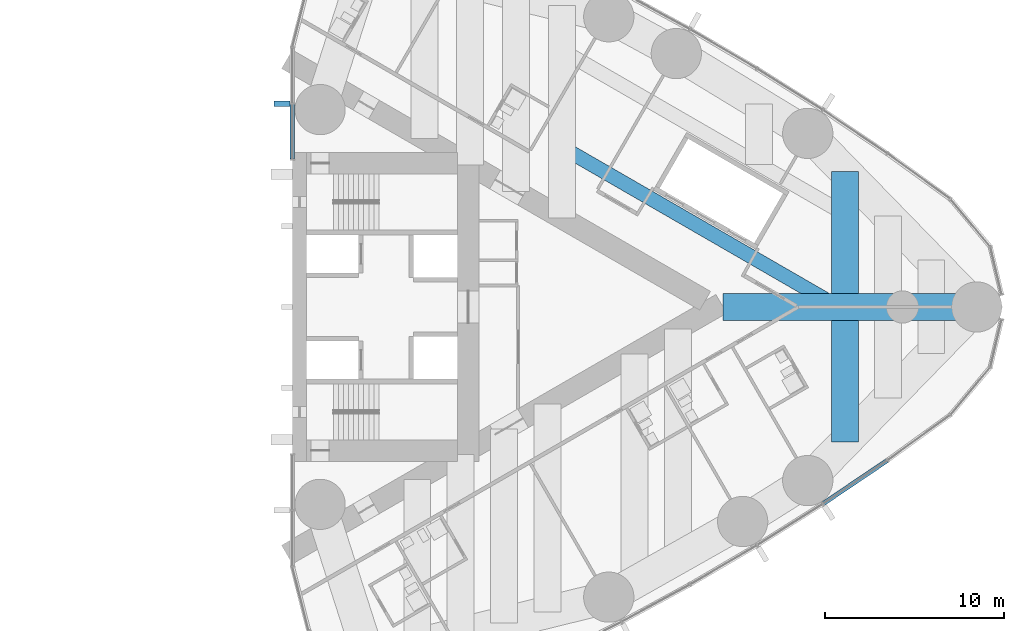
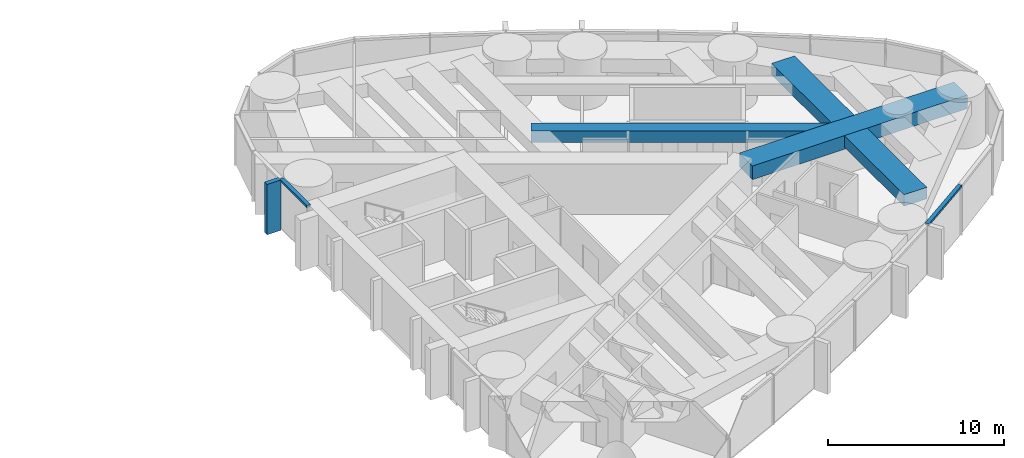
# One storey, part 7 of 19: 4 beams, 3 members, 2 elements without a shape of their own.
"""IFC4 building model written with IfcOpenShell, lengths in metres."""

import ifcopenshell
import ifcopenshell.guid

model = None  # the IFC model being written
_history = None  # IfcOwnerHistory: only IFC2X3 demands one
_inside = {}  # id of a spatial element -> (the spatial element, [elements in it])
_under = {}  # id of a project, library or spatial element -> (it, [spatial elements below it])
_declared = {}  # id of a project -> (the project, [libraries it declares])
_typed = {}  # id of a type object -> (the type object, [elements of that type])
_made_of = {}  # id of a material, layer set ... -> (it, [elements and type objects made of it])


def new_model(schema):
    """Start an empty IFC model of exactly this schema.

    Asked for "IFC4X3", IfcOpenShell would pick the latest addendum, in which some entities
    have other attributes; the version numbers below select the first issue.
    IFC2X3 requires an IfcOwnerHistory on every rooted entity: one is made here for all.
    """
    global model, _history
    if schema == "IFC4X3":
        model = ifcopenshell.file(schema_version=(4, 3, 0, 0))
    else:
        model = ifcopenshell.file(schema=schema)
    _inside.clear()
    _under.clear()
    _declared.clear()
    _typed.clear()
    _made_of.clear()
    _history = None
    if model.schema == "IFC2X3":
        org = make("IfcOrganization", Name="unknown")
        user = make(
            "IfcPersonAndOrganization",
            ThePerson=make("IfcPerson", FamilyName="unknown"),
            TheOrganization=org,
        )
        app = make(
            "IfcApplication",
            ApplicationDeveloper=org,
            Version="unknown",
            ApplicationFullName="unknown",
            ApplicationIdentifier="unknown",
        )
        _history = make(
            "IfcOwnerHistory",
            OwningUser=user,
            OwningApplication=app,
            ChangeAction="ADDED",
            CreationDate=0,
        )
    return model


def make(cls, **values):
    """One entity of the class cls with the attributes given. An attribute that is None is left unset."""
    return model.create_entity(
        cls, **{name: value for name, value in values.items() if value is not None}
    )


def rooted(cls, **values):
    """An entity with a GlobalId (a new one), such as an element, a storey or a relation."""
    return make(cls, GlobalId=ifcopenshell.guid.new(), OwnerHistory=_history, **values)


def si_unit(unit_type, name, prefix=None):
    """IfcSIUnit, for example si_unit("LENGTHUNIT", "METRE", prefix="MILLI")."""
    return make("IfcSIUnit", UnitType=unit_type, Prefix=prefix, Name=name)


def assignment(units):
    """IfcUnitAssignment: the units of a project."""
    return None if units is None else make("IfcUnitAssignment", Units=units)


def point(xyz):
    """IfcCartesianPoint."""
    return None if xyz is None else make("IfcCartesianPoint", Coordinates=xyz)


def direction(xyz):
    """IfcDirection."""
    return None if xyz is None else make("IfcDirection", DirectionRatios=xyz)


def frame(location, z_axis=None, x_axis=None):
    """IfcAxis2Placement3D, a coordinate frame: its origin and axes. An axis left out is left unset."""
    return make(
        "IfcAxis2Placement3D",
        Location=point(location),
        Axis=direction(z_axis),
        RefDirection=direction(x_axis),
    )


def frame_2d(location, x_axis=None):
    """IfcAxis2Placement2D, a coordinate frame in the plane: its origin and x axis."""
    return make(
        "IfcAxis2Placement2D", Location=point(location), RefDirection=direction(x_axis)
    )


def origin():
    """The frame at (0, 0, 0) with its axes left unset."""
    return frame((0.0, 0.0, 0.0))


def origin_2d():
    """The frame at (0, 0) in the plane with its x axis left unset."""
    return frame_2d((0.0, 0.0))


def place(relative_to, where):
    """IfcLocalPlacement: puts the frame where relative to a parent placement (None: the world)."""
    return make(
        "IfcLocalPlacement", PlacementRelTo=relative_to, RelativePlacement=where
    )


def context(
    kind, dimensions, precision=None, world=None, true_north=None, identifier=None
):
    """IfcGeometricRepresentationContext, for example the 3D "Model" context."""
    return make(
        "IfcGeometricRepresentationContext",
        ContextIdentifier=identifier,
        ContextType=kind,
        CoordinateSpaceDimension=dimensions,
        Precision=precision,
        WorldCoordinateSystem=world,
        TrueNorth=true_north,
    )


def subcontext(parent, identifier, kind, view, scale=None):
    """IfcGeometricRepresentationSubContext, for example "Body" below "Model"."""
    return make(
        "IfcGeometricRepresentationSubContext",
        ContextIdentifier=identifier,
        ContextType=kind,
        ParentContext=parent,
        TargetScale=scale,
        TargetView=view,
    )


def project(units=None, contexts=None):
    """IfcProject with its units and contexts."""
    return rooted(
        "IfcProject",
        Name="project",
        RepresentationContexts=contexts,
        UnitsInContext=assignment(units),
    )


def spatial(cls, under=None, at=None, **own):
    """A site, building, storey or space (cls), placed at a placement, below another one or the project."""
    s = rooted(cls, ObjectPlacement=at, **own)
    if under is not None:
        _under.setdefault(under.id(), (under, []))[1].append(s)
    return s


def profile(cls, at=None, kind="AREA", **sizes):
    """A parametric profile (cls). Its sizes go by their IFC names, for example OverallWidth=200.0."""
    return make(cls, ProfileType=kind, Position=at, **sizes)


def rectangle(**sizes):
    """IfcRectangleProfileDef."""
    return profile("IfcRectangleProfileDef", **sizes)


def hollow_rectangle(**sizes):
    """IfcRectangleHollowProfileDef."""
    return profile("IfcRectangleHollowProfileDef", **sizes)


def extrude(swept, where, along, depth):
    """IfcExtrudedAreaSolid: the profile swept, set in the frame where, extruded along a direction by depth."""
    return make(
        "IfcExtrudedAreaSolid",
        SweptArea=swept,
        Position=where,
        ExtrudedDirection=direction(along),
        Depth=depth,
    )


def shape(context_of_items, identifier, shape_type, items):
    """IfcShapeRepresentation: the items that make up one representation, for example the "Body"."""
    return make(
        "IfcShapeRepresentation",
        ContextOfItems=context_of_items,
        RepresentationIdentifier=identifier,
        RepresentationType=shape_type,
        Items=items,
    )


def material(Name=None, Category=None):
    """IfcMaterial."""
    return make("IfcMaterial", Name=Name, Category=Category)


def material_profile(
    of_material, cross_section, Name=None, Category=None, Priority=None
):
    """IfcMaterialProfile: a cross section and its material."""
    return make(
        "IfcMaterialProfile",
        Name=Name,
        Material=of_material,
        Profile=cross_section,
        Priority=Priority,
        Category=Category,
    )


def profile_set(profiles, Name=None, composite=None):
    """IfcMaterialProfileSet."""
    return make(
        "IfcMaterialProfileSet",
        Name=Name,
        MaterialProfiles=profiles,
        CompositeProfile=composite,
    )


def made_of(thing, what):
    """Note that an element or type object is made of a material, layer set ...; save() writes the relation."""
    if what is not None:
        _made_of.setdefault(what.id(), (what, []))[1].append(thing)
    return thing


def type_object(cls, material=None, **own):
    """A type object (cls), such as IfcWallType, which elements share."""
    return made_of(rooted(cls, **own), material)


def element(
    cls,
    number,
    at=None,
    inside=None,
    cuts=None,
    type_object=None,
    material=None,
    context=None,
    identifier="Body",
    shape_type=None,
    held_by="IfcProductDefinitionShape",
    body=None,
    shapes=None,
    **own,
):
    """One element of the class cls, such as IfcWall. Its Tag is "e" and its number.

    at: its placement. inside: the storey or other place that contains it. cuts: it is an
    opening in that element (IfcRelVoidsElement). A single representation is given by context,
    identifier, shape_type and body (its items); several are given by shapes. held_by: the class
    of the entity that holds the representations. save() writes the other relations.
    """
    e = rooted(cls, Tag="e%d" % number, ObjectPlacement=at, **own)
    if body is not None:
        shapes = [shape(context, identifier, shape_type, body)]
    if shapes is not None:
        e.Representation = make(held_by, Representations=shapes)
    if inside is not None:
        _inside.setdefault(inside.id(), (inside, []))[1].append(e)
    if cuts is not None:
        rooted(
            "IfcRelVoidsElement", RelatingBuildingElement=cuts, RelatedOpeningElement=e
        )
    if type_object is not None:
        _typed.setdefault(type_object.id(), (type_object, []))[1].append(e)
    return made_of(e, material)


def aggregate(whole, parts):
    """IfcRelAggregates: a whole, such as a stair, and the parts it consists of."""
    return rooted("IfcRelAggregates", RelatingObject=whole, RelatedObjects=parts)


def save(model, path):
    """Write the relations noted so far, then the file.

    IfcRelAggregates (storeys below a building ...), IfcRelContainedInSpatialStructure (elements
    in a storey), IfcRelDefinesByType, IfcRelAssociatesMaterial and IfcRelDeclares: one each for
    every whole, place, type object, material and project.
    """
    for whole, parts in _under.values():
        aggregate(whole, parts)
    for where, things in _inside.values():
        rooted(
            "IfcRelContainedInSpatialStructure",
            RelatedElements=things,
            RelatingStructure=where,
        )
    for kind, things in _typed.values():
        rooted("IfcRelDefinesByType", RelatedObjects=things, RelatingType=kind)
    for what, things in _made_of.values():
        rooted("IfcRelAssociatesMaterial", RelatedObjects=things, RelatingMaterial=what)
    for by, libraries in _declared.values():
        rooted("IfcRelDeclares", RelatingContext=by, RelatedDefinitions=libraries)
    model.write(path)


model = new_model("IFC4")

# Units and contexts
model_context = context("Model", 3, precision=1e-05, world=origin(), true_north=direction((0.0, 1.0)))
body_context = subcontext(model_context, "Body", "Model", "MODEL_VIEW")
ifc_project = project(units=[si_unit("LENGTHUNIT", "METRE"), si_unit("AREAUNIT", "SQUARE_METRE"), si_unit("VOLUMEUNIT", "CUBIC_METRE"), si_unit("PLANEANGLEUNIT", "RADIAN"), si_unit("MASSUNIT", "GRAM", prefix="KILO")], contexts=[model_context])

# Site, building, storey
site_placement = place(None, origin())
site = spatial("IfcSite", under=ifc_project, at=site_placement, CompositionType="ELEMENT")
building_placement = place(site_placement, origin())
building = spatial("IfcBuilding", under=site, at=building_placement, Name="Lancet Gate Hotel", CompositionType="ELEMENT")
storey_placement = place(building_placement, frame((0.0, 0.0, 170.300048828125)))
storey = spatial("IfcBuildingStorey", under=building, at=storey_placement, Name="L45", CompositionType="ELEMENT", Elevation=170.300048828125)

# Curtain wall, member
ifc_material_1 = material(Name="Aluminium curtain wall", Category="aluminium")
curtain_wall_type = type_object("IfcCurtainWallType", Name="Tower unitised curtain wall", PredefinedType="USERDEFINED", material=ifc_material_1)
curtain_wall_1_placement = place(storey_placement, origin())
curtain_wall_1 = element("IfcCurtainWall", 1, at=curtain_wall_1_placement, inside=storey, type_object=curtain_wall_type, Name="T2 L45 curtain wall 2", ObjectType="UNITISED CURTAIN WALL", PredefinedType="USERDEFINED")
ifc_material_2 = material(Name="Aluminium transom", Category="aluminium")
ifc_material_profile_1 = material_profile(ifc_material_2, rectangle(XDim=0.25, YDim=0.14990234375, at=origin_2d()), Name="TRANSOM 250x150")
ifc_profile_set_1 = profile_set([ifc_material_profile_1], Name="Aluminium transom")
member_type_1 = type_object("IfcMemberType", Name="Aluminium transom 250x150", PredefinedType="USERDEFINED", material=ifc_profile_set_1)
member_1_placement = place(storey_placement, frame((57.093994140625, -10.952880859375, 3.425048828125), z_axis=(0.829046850689, 0.559179147826, 0.0), x_axis=(-0.559179147826, 0.829046850689, 0.0)))
member_1 = element("IfcMember", 2, at=member_1_placement, type_object=member_type_1, Name="T2 L45 curtain wall 2 transom 8", ObjectType="TRANSOM", PredefinedType="USERDEFINED", context=body_context, shape_type="SweptSolid", body=[
    extrude(rectangle(XDim=0.25, YDim=0.14990234375, at=origin_2d()), origin(), (0.0, 0.0, 1.0), 4.26904296875),
])
aggregate(curtain_wall_1, [member_1])

# Curtain wall, members
curtain_wall_2_placement = place(storey_placement, origin())
curtain_wall_2 = element("IfcCurtainWall", 3, at=curtain_wall_2_placement, inside=storey, type_object=curtain_wall_type, Name="T2 L45 curtain wall 4", ObjectType="UNITISED CURTAIN WALL", PredefinedType="USERDEFINED")
member_2_placement = place(storey_placement, frame((27.5, 11.30029296875, 3.425048828125), z_axis=(0.0, -1.0, 0.0), x_axis=(1.0, 0.0, 0.0)))
member_2 = element("IfcMember", 4, at=member_2_placement, type_object=member_type_1, Name="T2 L45 curtain wall 4 transom 4", ObjectType="TRANSOM", PredefinedType="USERDEFINED", context=body_context, shape_type="SweptSolid", body=[
    extrude(rectangle(XDim=0.25, YDim=0.14990234375, at=origin_2d()), origin(), (0.0, 0.0, 1.0), 3.06787109375),
])
ifc_material_3 = material(Name="Precast concrete C50/60", Category="concrete")
ifc_material_profile_2 = material_profile(ifc_material_3, rectangle(XDim=0.300048828125, YDim=0.89990234375, at=origin_2d()), Name="FIN 300x900")
ifc_profile_set_2 = profile_set([ifc_material_profile_2], Name="Precast concrete C50/60")
member_type_2 = type_object("IfcMemberType", Name="Exposed concrete fin 300x900", PredefinedType="USERDEFINED", material=ifc_profile_set_2)
member_3_placement = place(storey_placement, frame((26.925048828125, 11.332763671875, 0.0), z_axis=(0.0, 0.0, 1.0), x_axis=(0.0, -1.0, 0.0)))
member_3 = element("IfcMember", 5, at=member_3_placement, type_object=member_type_2, Name="T2 L45 curtain wall 4 fin 4", ObjectType="FIN", PredefinedType="USERDEFINED", context=body_context, shape_type="SweptSolid", body=[
    extrude(rectangle(XDim=0.300048828125, YDim=0.89990234375, at=origin_2d()), origin(), (0.0, 0.0, 1.0), 3.5),
])
aggregate(curtain_wall_2, [member_3, member_2])

# Beams
ifc_material_4 = material(Name="Concrete C50/60", Category="concrete")
ifc_material_profile_3 = material_profile(ifc_material_4, rectangle(XDim=1.5, YDim=0.800048828125, at=origin_2d()), Name="RC 1500x800")
ifc_profile_set_3 = profile_set([ifc_material_profile_3], Name="Concrete C50/60")
beam_type_1 = type_object("IfcBeamType", Name="Floor beam RC 1500x800", PredefinedType="BEAM", material=ifc_profile_set_3)
for number, where, z_axis, x_axis, name in (
    (6, (58.30224609375, -7.534912109375, 2.849853515625), (0.0, 1.0, 0.0), (-1.0, 0.0, 0.0), "T2 floor beam F12S L45"),
    (7, (58.30224609375, 0.75, 2.849853515625), (0.0, 1.0, 0.0), (-1.0, 0.0, 0.0), "T2 floor beam F13N L45"),
):
    element("IfcBeam", number, at=place(storey_placement, frame(where, z_axis=z_axis, x_axis=x_axis)), inside=storey, type_object=beam_type_1, Name=name, PredefinedType="BEAM", context=body_context, shape_type="SweptSolid", body=[
        extrude(rectangle(XDim=1.5, YDim=0.800048828125, at=origin_2d()), origin(), (0.0, 0.0, 1.0), 6.784912109375),
    ])
ifc_material_5 = material(Name="Concrete C50/60", Category="concrete")
ifc_material_profile_4 = material_profile(ifc_material_5, rectangle(XDim=1.5, YDim=0.949951171875, at=origin_2d()), Name="RC 1500x950")
ifc_profile_set_4 = profile_set([ifc_material_profile_4], Name="Concrete C50/60")
beam_type_2 = type_object("IfcBeamType", Name="Radial floor beam RC 1500x950", PredefinedType="BEAM", material=ifc_profile_set_4)
beam_1_placement = place(storey_placement, frame((65.6396484375, 0.0, 2.77490234375), z_axis=(-1.0, 0.0, 0.0), x_axis=(0.0, -1.0, 0.0)))
element("IfcBeam", 8, at=beam_1_placement, inside=storey, type_object=beam_type_2, Name="T2 radial beam CA L45", PredefinedType="BEAM", context=body_context, shape_type="SweptSolid", body=[
    extrude(rectangle(XDim=1.5, YDim=0.949951171875, at=origin_2d()), origin(), (0.0, 0.0, 1.0), 14.137451171875),
])
ifc_material_6 = material(Name="Steel S460QL", Category="steel")
ifc_material_profile_5 = material_profile(ifc_material_6, hollow_rectangle(XDim=0.800048828125, YDim=0.800048828125, WallThickness=0.080078125, at=origin_2d()), Name="BOX 800x800x80")
ifc_profile_set_5 = profile_set([ifc_material_profile_5], Name="Steel S460QL")
beam_type_3 = type_object("IfcBeamType", Name="Trimmer beam BOX 800x800x80", PredefinedType="BEAM", material=ifc_profile_set_5)
beam_2_placement = place(storey_placement, frame((42.51904296875, 8.90185546875, 2.849853515625), z_axis=(0.865994419471, -0.500053662566, 0.0), x_axis=(0.500053662566, 0.865994419471, 0.0)))
element("IfcBeam", 9, at=beam_2_placement, inside=storey, type_object=beam_type_3, Name="T2 trimmer beam TR02N L45", PredefinedType="BEAM", context=body_context, shape_type="SweptSolid", body=[
    extrude(hollow_rectangle(XDim=0.800048828125, YDim=0.800048828125, WallThickness=0.080078125, at=origin_2d()), origin(), (0.0, 0.0, 1.0), 17.8017578125),
])

save(model, "model.ifc")
